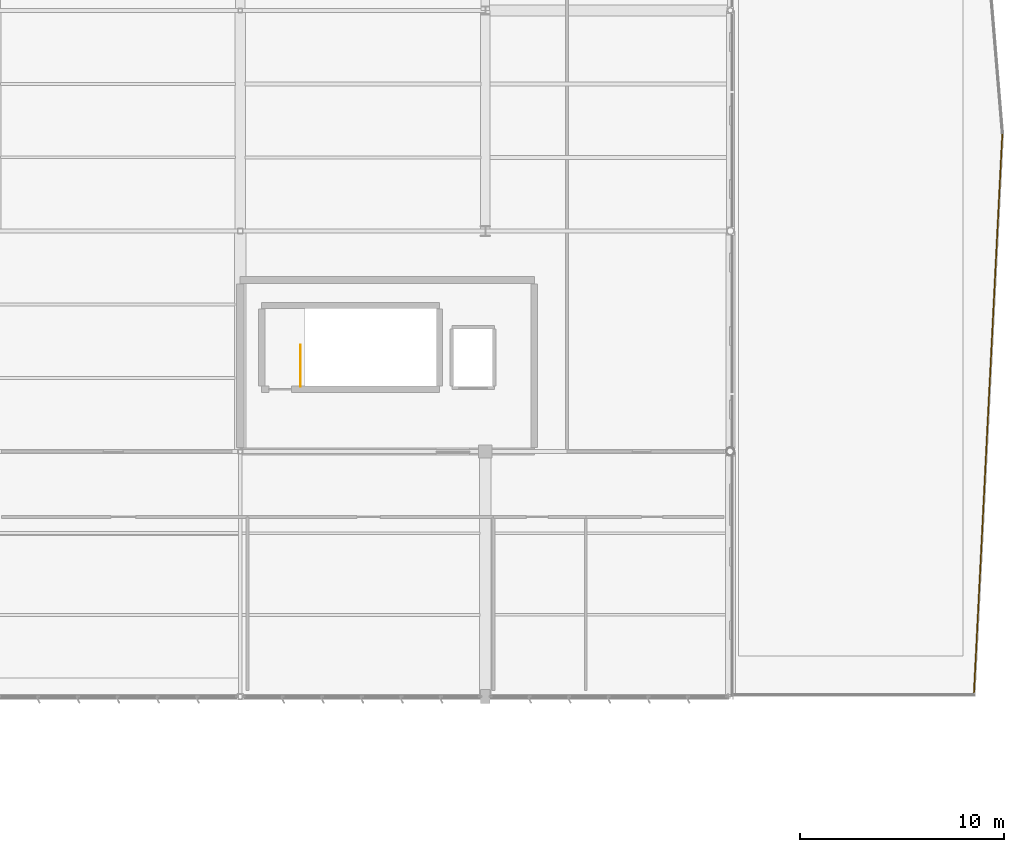
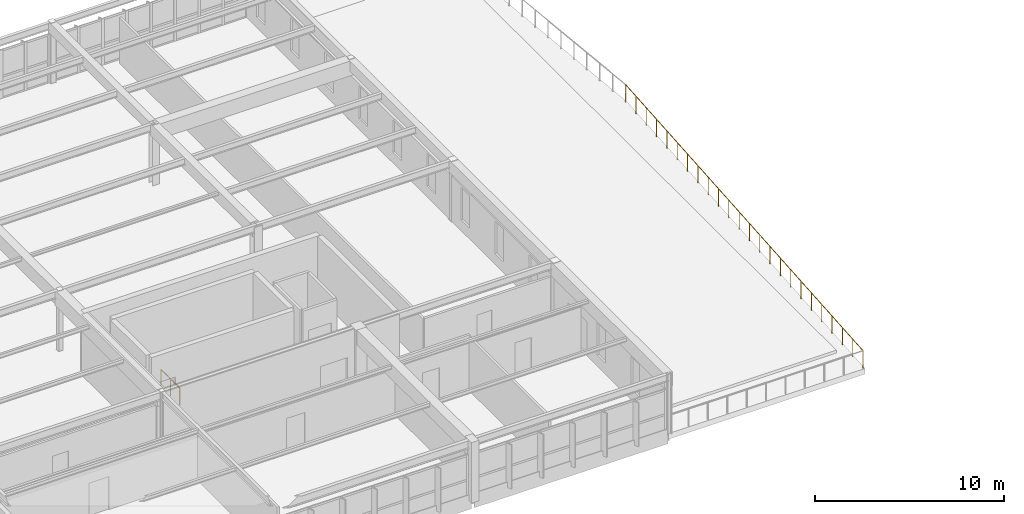
# One storey, part 126 of 128: 2 railings.
"""IFC4 building model written with IfcOpenShell, lengths in metres."""

from ifc_helpers import new_model, si_unit, direction, frame, origin, origin_2d, place, context, subcontext, project, spatial, circle, extrude, material, type_object, element, save


model = new_model("IFC4")

# Units and contexts
model_context = context("Model", 3, precision=1e-05, world=origin(), true_north=direction((0.0, 1.0)))
body_context = subcontext(model_context, "Body", "Model", "MODEL_VIEW")
ifc_project = project(units=[si_unit("LENGTHUNIT", "METRE"), si_unit("AREAUNIT", "SQUARE_METRE"), si_unit("VOLUMEUNIT", "CUBIC_METRE"), si_unit("PLANEANGLEUNIT", "RADIAN"), si_unit("MASSUNIT", "GRAM", prefix="KILO")], contexts=[model_context])

# Site, building, storey
site_placement = place(None, origin())
site = spatial("IfcSite", under=ifc_project, at=site_placement, CompositionType="ELEMENT")
building_placement = place(site_placement, origin())
building = spatial("IfcBuilding", under=site, at=building_placement, Name="Tarnwether General Hospital", CompositionType="ELEMENT")
storey_placement = place(building_placement, frame((0.0, 0.0, 14.39990234375)))
storey = spatial("IfcBuildingStorey", under=building, at=storey_placement, Name="L03", CompositionType="ELEMENT", Elevation=14.39990234375)

# Railings
ifc_material_1 = material(Name="Anodised aluminium", Category="aluminium")
railing_type_1 = type_object("IfcRailingType", Name="RL-GRD-EXT", PredefinedType="GUARDRAIL", material=ifc_material_1)
railing_1_placement = place(storey_placement, frame((193.320068359375, 109.198974609375, 0.0)))
element("IfcRailing", 1, at=railing_1_placement, inside=storey, type_object=railing_type_1, Name="L03 Outpatient North-East Shard Roof Garden SL-L03-V6NTER Guard 0018", PredefinedType="GUARDRAIL", context=body_context, shape_type="SweptSolid", body=[
    extrude(circle(Radius=0.02392578125, at=origin_2d()), frame((0.0, 0.0, 1.1259765625), z_axis=(-0.050663220716, -0.998715794441, 0.0), x_axis=(0.998715794441, -0.050663220716, 0.0)), (0.0, 0.0, 1.0), 27.554443359375),
    extrude(circle(Radius=0.02099609375, at=origin_2d()), origin(), (0.0, 0.0, 1.0), 1.101806640625),
    extrude(circle(Radius=0.02099609375, at=origin_2d()), frame((-0.060791015625, -1.196533203125, 0.0)), (0.0, 0.0, 1.0), 1.101806640625),
    extrude(circle(Radius=0.02099609375, at=origin_2d()), frame((-0.121337890625, -2.39306640625, 0.0)), (0.0, 0.0, 1.0), 1.101806640625),
    extrude(circle(Radius=0.02099609375, at=origin_2d()), frame((-0.18212890625, -3.58935546875, 0.0)), (0.0, 0.0, 1.0), 1.101806640625),
    extrude(circle(Radius=0.02099609375, at=origin_2d()), frame((-0.24267578125, -4.785888671875, 0.0)), (0.0, 0.0, 1.0), 1.101806640625),
    extrude(circle(Radius=0.02099609375, at=origin_2d()), frame((-0.303466796875, -5.982421875, 0.0)), (0.0, 0.0, 1.0), 1.101806640625),
    extrude(circle(Radius=0.02099609375, at=origin_2d()), frame((-0.3642578125, -7.178955078125, 0.0)), (0.0, 0.0, 1.0), 1.101806640625),
    extrude(circle(Radius=0.02099609375, at=origin_2d()), frame((-0.4248046875, -8.375244140625, 0.0)), (0.0, 0.0, 1.0), 1.101806640625),
    extrude(circle(Radius=0.02099609375, at=origin_2d()), frame((-0.485595703125, -9.57177734375, 0.0)), (0.0, 0.0, 1.0), 1.101806640625),
    extrude(circle(Radius=0.02099609375, at=origin_2d()), frame((-0.546142578125, -10.768310546875, 0.0)), (0.0, 0.0, 1.0), 1.101806640625),
    extrude(circle(Radius=0.02099609375, at=origin_2d()), frame((-0.60693359375, -11.96484375, 0.0)), (0.0, 0.0, 1.0), 1.101806640625),
    extrude(circle(Radius=0.02099609375, at=origin_2d()), frame((-0.667724609375, -13.161376953125, 0.0)), (0.0, 0.0, 1.0), 1.101806640625),
    extrude(circle(Radius=0.02099609375, at=origin_2d()), frame((-0.728271484375, -14.357666015625, 0.0)), (0.0, 0.0, 1.0), 1.101806640625),
    extrude(circle(Radius=0.02099609375, at=origin_2d()), frame((-0.7890625, -15.55419921875, 0.0)), (0.0, 0.0, 1.0), 1.101806640625),
    extrude(circle(Radius=0.02099609375, at=origin_2d()), frame((-0.849853515625, -16.750732421875, 0.0)), (0.0, 0.0, 1.0), 1.101806640625),
    extrude(circle(Radius=0.02099609375, at=origin_2d()), frame((-0.910400390625, -17.947265625, 0.0)), (0.0, 0.0, 1.0), 1.101806640625),
    extrude(circle(Radius=0.02099609375, at=origin_2d()), frame((-0.97119140625, -19.143798828125, 0.0)), (0.0, 0.0, 1.0), 1.101806640625),
    extrude(circle(Radius=0.02099609375, at=origin_2d()), frame((-1.03173828125, -20.340087890625, 0.0)), (0.0, 0.0, 1.0), 1.101806640625),
    extrude(circle(Radius=0.02099609375, at=origin_2d()), frame((-1.092529296875, -21.53662109375, 0.0)), (0.0, 0.0, 1.0), 1.101806640625),
    extrude(circle(Radius=0.02099609375, at=origin_2d()), frame((-1.1533203125, -22.733154296875, 0.0)), (0.0, 0.0, 1.0), 1.101806640625),
    extrude(circle(Radius=0.02099609375, at=origin_2d()), frame((-1.2138671875, -23.9296875, 0.0)), (0.0, 0.0, 1.0), 1.101806640625),
    extrude(circle(Radius=0.02099609375, at=origin_2d()), frame((-1.274658203125, -25.1259765625, 0.0)), (0.0, 0.0, 1.0), 1.101806640625),
    extrude(circle(Radius=0.02099609375, at=origin_2d()), frame((-1.335205078125, -26.322509765625, 0.0)), (0.0, 0.0, 1.0), 1.101806640625),
    extrude(circle(Radius=0.02099609375, at=origin_2d()), frame((-1.39599609375, -27.51904296875, 0.0)), (0.0, 0.0, 1.0), 1.101806640625),
])
ifc_material_2 = material(Name="Anodised aluminium", Category="aluminium")
railing_type_2 = type_object("IfcRailingType", Name="RL-GRD-INT", PredefinedType="GUARDRAIL", material=ifc_material_2)
railing_2_placement = place(storey_placement, frame((158.949951171875, 96.800048828125, 0.0)))
element("IfcRailing", 2, at=railing_2_placement, inside=storey, type_object=railing_type_2, Name="L03 ST-06 top well guard 1", PredefinedType="GUARDRAIL", context=body_context, shape_type="SweptSolid", body=[
    extrude(circle(Radius=0.02392578125, at=origin_2d()), frame((0.0, 0.0, 1.076171875), z_axis=(0.0, 1.0, 0.0), x_axis=(-1.0, 0.0, 0.0)), (0.0, 0.0, 1.0), 2.0),
    extrude(circle(Radius=0.02099609375, at=origin_2d()), origin(), (0.0, 0.0, 1.0), 1.052001953125),
    extrude(circle(Radius=0.02099609375, at=origin_2d()), frame((0.0, 1.0, 0.0)), (0.0, 0.0, 1.0), 1.052001953125),
    extrude(circle(Radius=0.02099609375, at=origin_2d()), frame((0.0, 2.0, 0.0)), (0.0, 0.0, 1.0), 1.052001953125),
])

save(model, "model.ifc")
